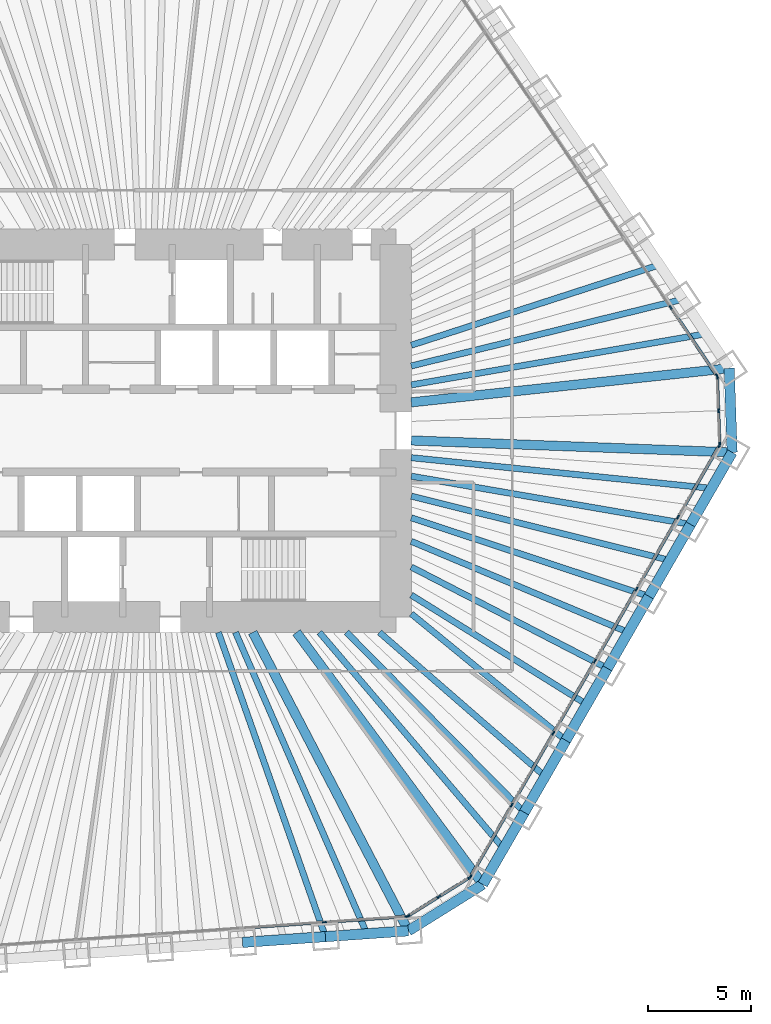
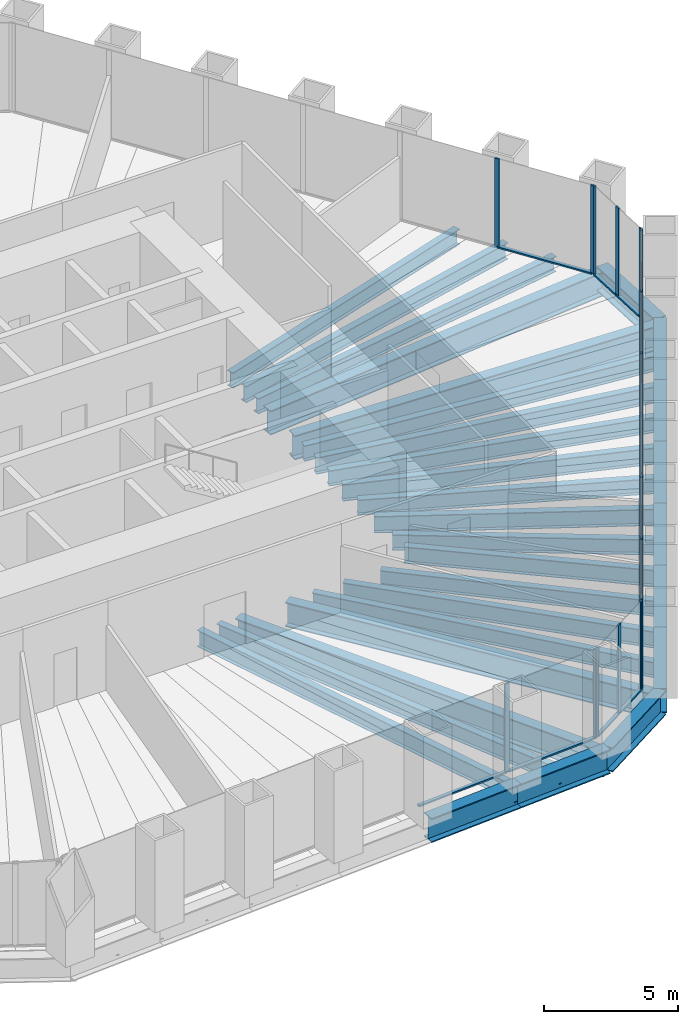
# One storey, part 4 of 13: 30 beams, 30 members, 5 elements without a shape of their own.
"""IFC4 building model written with IfcOpenShell, lengths in metres."""

from ifc_helpers import new_model, si_unit, direction, frame, origin, origin_2d, place, context, subcontext, project, spatial, rectangle, i_section, extrude, material, material_profile, profile_set, type_object, element, aggregate, save


model = new_model("IFC4")

# Units and contexts
model_context = context("Model", 3, precision=1e-05, world=origin(), true_north=direction((0.0, 1.0)))
body_context = subcontext(model_context, "Body", "Model", "MODEL_VIEW")
ifc_project = project(units=[si_unit("LENGTHUNIT", "METRE"), si_unit("AREAUNIT", "SQUARE_METRE"), si_unit("VOLUMEUNIT", "CUBIC_METRE"), si_unit("PLANEANGLEUNIT", "RADIAN"), si_unit("MASSUNIT", "GRAM", prefix="KILO")], contexts=[model_context])

# Site, building, storey
site_placement = place(None, origin())
site = spatial("IfcSite", under=ifc_project, at=site_placement, CompositionType="ELEMENT")
building_placement = place(site_placement, origin())
building = spatial("IfcBuilding", under=site, at=building_placement, Name="Qingtian Harvest Tower", CompositionType="ELEMENT")
storey_placement = place(building_placement, frame((0.0, 0.0, 166.0)))
storey = spatial("IfcBuildingStorey", under=building, at=storey_placement, Name="L35", CompositionType="ELEMENT", Elevation=166.0)

# Beams
ifc_material_1 = material(Name="Steel SM570MC", Category="steel")
ifc_material_profile_1 = material_profile(ifc_material_1, i_section(OverallWidth=0.449951171875, OverallDepth=1.10009765625, WebThickness=0.02197265625, FlangeThickness=0.044921875, at=origin_2d()), Name="H1100x450x22x45")
ifc_profile_set_1 = profile_set([ifc_material_profile_1], Name="Steel SM570MC")
beam_type_1 = type_object("IfcBeamType", Name="Corner floor beam FB8 H1100x450x22x45", PredefinedType="BEAM", material=ifc_profile_set_1)
beam_1_placement = place(storey_placement, frame((28.119384765625, 3.0185546875, -0.719970703125), z_axis=(-0.994287324052, -0.106736672374, 0.0), x_axis=(0.106736672374, -0.994287324052, 0.0)))
element("IfcBeam", 1, at=beam_1_placement, inside=storey, type_object=beam_type_1, Name="Floor beam FB8 NE6", PredefinedType="BEAM", context=body_context, shape_type="SweptSolid", body=[
    extrude(i_section(OverallWidth=0.449951171875, OverallDepth=1.10009765625, WebThickness=0.02197265625, FlangeThickness=0.044921875, at=origin_2d()), origin(), (0.0, 0.0, 1.0), 15.457763671875),
])
beam_2_placement = place(storey_placement, frame((28.261474609375, -1.049560546875, -0.719970703125), z_axis=(-0.999311425285, 0.03710357523, 0.0), x_axis=(-0.03710357523, -0.999311425285, 0.0)))
element("IfcBeam", 2, at=beam_2_placement, inside=storey, type_object=beam_type_1, Name="Floor beam FB8 SE0", PredefinedType="BEAM", context=body_context, shape_type="SweptSolid", body=[
    extrude(i_section(OverallWidth=0.449951171875, OverallDepth=1.10009765625, WebThickness=0.02197265625, FlangeThickness=0.044921875, at=origin_2d()), origin(), (0.0, 0.0, 1.0), 15.522216796875),
])
beam_3_placement = place(storey_placement, frame((16.204345703125, -21.933349609375, -0.719970703125), z_axis=(-0.594215666968, 0.804305751023, 0.0), x_axis=(-0.804305751023, -0.594215666968, 0.0)))
element("IfcBeam", 3, at=beam_3_placement, inside=storey, type_object=beam_type_1, Name="Floor beam FB8 SE6", PredefinedType="BEAM", context=body_context, shape_type="SweptSolid", body=[
    extrude(i_section(OverallWidth=0.449951171875, OverallDepth=1.10009765625, WebThickness=0.02197265625, FlangeThickness=0.044921875, at=origin_2d()), origin(), (0.0, 0.0, 1.0), 15.147705078125),
])
beam_4_placement = place(storey_placement, frame((12.610107421875, -24.17919921875, -0.719970703125), z_axis=(-0.462414751295, 0.886663745613, 0.0), x_axis=(-0.886663745613, -0.462414751295, 0.0)))
element("IfcBeam", 4, at=beam_4_placement, inside=storey, type_object=beam_type_1, Name="Floor beam FB8 S0", PredefinedType="BEAM", context=body_context, shape_type="SweptSolid", body=[
    extrude(i_section(OverallWidth=0.449951171875, OverallDepth=1.10009765625, WebThickness=0.02197265625, FlangeThickness=0.044921875, at=origin_2d()), origin(), (0.0, 0.0, 1.0), 16.273681640625),
])
ifc_material_2 = material(Name="Steel SN490B", Category="steel")
ifc_material_profile_2 = material_profile(ifc_material_2, i_section(OverallWidth=0.300048828125, OverallDepth=0.75, WebThickness=0.013916015625, FlangeThickness=0.02490234375, at=origin_2d()), Name="H750x300x14x25")
ifc_profile_set_2 = profile_set([ifc_material_profile_2], Name="Steel SN490B")
beam_type_2 = type_object("IfcBeamType", Name="Floor beam FB12 H750x300x14x25", PredefinedType="BEAM", material=ifc_profile_set_2)
beam_5_placement = place(storey_placement, frame((25.8720703125, 6.3505859375, -0.544921875), z_axis=(-0.971170997483, -0.2383839207, 0.0), x_axis=(0.2383839207, -0.971170997483, 0.0)))
element("IfcBeam", 5, at=beam_5_placement, inside=storey, type_object=beam_type_2, Name="Floor beam FB12 NE5", PredefinedType="BEAM", context=body_context, shape_type="SweptSolid", body=[
    extrude(i_section(OverallWidth=0.300048828125, OverallDepth=0.75, WebThickness=0.013916015625, FlangeThickness=0.02490234375, at=origin_2d()), origin(), (0.0, 0.0, 1.0), 13.511474609375),
])
beam_6_placement = place(storey_placement, frame((26.251953125, -4.5302734375, -0.544921875), z_axis=(-0.985433767107, 0.170059667895, 0.0), x_axis=(-0.170059667895, -0.985433767107, 0.0)))
element("IfcBeam", 6, at=beam_6_placement, inside=storey, type_object=beam_type_2, Name="Floor beam FB12 SE1", PredefinedType="BEAM", context=body_context, shape_type="SweptSolid", body=[
    extrude(i_section(OverallWidth=0.300048828125, OverallDepth=0.75, WebThickness=0.013916015625, FlangeThickness=0.02490234375, at=origin_2d()), origin(), (0.0, 0.0, 1.0), 13.701416015625),
])
beam_7_placement = place(storey_placement, frame((24.242431640625, -8.010986328125, -0.544921875), z_axis=(-0.949497047328, 0.31377596644, 0.0), x_axis=(-0.31377596644, -0.949497047328, 0.0)))
element("IfcBeam", 7, at=beam_7_placement, inside=storey, type_object=beam_type_2, Name="Floor beam FB12 SE2", PredefinedType="BEAM", context=body_context, shape_type="SweptSolid", body=[
    extrude(i_section(OverallWidth=0.300048828125, OverallDepth=0.75, WebThickness=0.013916015625, FlangeThickness=0.02490234375, at=origin_2d()), origin(), (0.0, 0.0, 1.0), 12.103759765625),
])
beam_8_placement = place(storey_placement, frame((22.23291015625, -11.491455078125, -0.544921875), z_axis=(-0.888354700773, 0.459157843899, 0.0), x_axis=(-0.459157843899, -0.888354700773, 0.0)))
element("IfcBeam", 8, at=beam_8_placement, inside=storey, type_object=beam_type_2, Name="Floor beam FB12 SE3", PredefinedType="BEAM", context=body_context, shape_type="SweptSolid", body=[
    extrude(i_section(OverallWidth=0.300048828125, OverallDepth=0.75, WebThickness=0.013916015625, FlangeThickness=0.02490234375, at=origin_2d()), origin(), (0.0, 0.0, 1.0), 10.6748046875),
])
beam_9_placement = place(storey_placement, frame((20.223388671875, -14.97216796875, -0.544921875), z_axis=(-0.773577716445, 0.633701441233, 0.0), x_axis=(-0.633701441233, -0.773577716445, 0.0)))
element("IfcBeam", 9, at=beam_9_placement, inside=storey, type_object=beam_type_2, Name="Floor beam FB12 SE4", PredefinedType="BEAM", context=body_context, shape_type="SweptSolid", body=[
    extrude(i_section(OverallWidth=0.300048828125, OverallDepth=0.75, WebThickness=0.013916015625, FlangeThickness=0.02490234375, at=origin_2d()), origin(), (0.0, 0.0, 1.0), 9.660888671875),
])
beam_10_placement = place(storey_placement, frame((18.2138671875, -18.452880859375, -0.544921875), z_axis=(-0.702479751847, 0.711703729262, 0.0), x_axis=(-0.711703729262, -0.702479751847, 0.0)))
element("IfcBeam", 10, at=beam_10_placement, inside=storey, type_object=beam_type_2, Name="Floor beam FB12 SE5", PredefinedType="BEAM", context=body_context, shape_type="SweptSolid", body=[
    extrude(i_section(OverallWidth=0.300048828125, OverallDepth=0.75, WebThickness=0.013916015625, FlangeThickness=0.02490234375, at=origin_2d()), origin(), (0.0, 0.0, 1.0), 12.228271484375),
])
beam_11_placement = place(storey_placement, frame((8.600830078125, -24.459716796875, -0.544921875), z_axis=(-0.331719146802, 0.943378189087, 0.0), x_axis=(-0.943378189087, -0.331719146802, 0.0)))
element("IfcBeam", 11, at=beam_11_placement, inside=storey, type_object=beam_type_2, Name="Floor beam FB12 S1", PredefinedType="BEAM", context=body_context, shape_type="SweptSolid", body=[
    extrude(i_section(OverallWidth=0.300048828125, OverallDepth=0.75, WebThickness=0.013916015625, FlangeThickness=0.02490234375, at=origin_2d()), origin(), (0.0, 0.0, 1.0), 15.592529296875),
])
ifc_material_3 = material(Name="Steel SN490B", Category="steel")
ifc_material_profile_3 = material_profile(ifc_material_3, i_section(OverallWidth=0.300048828125, OverallDepth=0.699951171875, WebThickness=0.012939453125, FlangeThickness=0.02392578125, at=origin_2d()), Name="H700x300x13x24")
ifc_profile_set_3 = profile_set([ifc_material_profile_3], Name="Steel SN490B")
beam_type_3 = type_object("IfcBeamType", Name="Floor joist J2 H700x300x13x24", PredefinedType="JOIST", material=ifc_profile_set_3)
beam_12_placement = place(storey_placement, frame((24.748291015625, 8.016357421875, -0.52001953125), z_axis=(-0.951335907519, -0.308155790249, 0.0), x_axis=(0.308155790249, -0.951335907519, 0.0)))
element("IfcBeam", 12, at=beam_12_placement, inside=storey, type_object=beam_type_3, Name="Floor joist J2 NE4", PredefinedType="JOIST", context=body_context, shape_type="SweptSolid", body=[
    extrude(i_section(OverallWidth=0.300048828125, OverallDepth=0.699951171875, WebThickness=0.012939453125, FlangeThickness=0.02392578125, at=origin_2d()), origin(), (0.0, 0.0, 1.0), 12.612060546875),
])
beam_13_placement = place(storey_placement, frame((26.99560546875, 4.6845703125, -0.52001953125), z_axis=(-0.985273903188, -0.17098343691, 0.0), x_axis=(0.17098343691, -0.985273903188, 0.0)))
element("IfcBeam", 13, at=beam_13_placement, inside=storey, type_object=beam_type_3, Name="Floor joist J2 NE5", PredefinedType="JOIST", context=body_context, shape_type="SweptSolid", body=[
    extrude(i_section(OverallWidth=0.300048828125, OverallDepth=0.699951171875, WebThickness=0.012939453125, FlangeThickness=0.02392578125, at=origin_2d()), origin(), (0.0, 0.0, 1.0), 14.45849609375),
])
beam_14_placement = place(storey_placement, frame((27.2568359375, -2.7900390625, -0.52001953125), z_axis=(-0.994802418411, 0.101824104826, 0.0), x_axis=(-0.101824104826, -0.994802418411, 0.0)))
element("IfcBeam", 14, at=beam_14_placement, inside=storey, type_object=beam_type_3, Name="Floor joist J2 SE0", PredefinedType="JOIST", context=body_context, shape_type="SweptSolid", body=[
    extrude(i_section(OverallWidth=0.300048828125, OverallDepth=0.699951171875, WebThickness=0.012939453125, FlangeThickness=0.02392578125, at=origin_2d()), origin(), (0.0, 0.0, 1.0), 14.58251953125),
])
beam_15_placement = place(storey_placement, frame((25.247314453125, -6.2705078125, -0.52001953125), z_axis=(-0.970517179244, 0.241031958032, 0.0), x_axis=(-0.241031958032, -0.970517179244, 0.0)))
element("IfcBeam", 15, at=beam_15_placement, inside=storey, type_object=beam_type_3, Name="Floor joist J2 SE1", PredefinedType="JOIST", context=body_context, shape_type="SweptSolid", body=[
    extrude(i_section(OverallWidth=0.300048828125, OverallDepth=0.699951171875, WebThickness=0.012939453125, FlangeThickness=0.02392578125, at=origin_2d()), origin(), (0.0, 0.0, 1.0), 12.876953125),
])
beam_16_placement = place(storey_placement, frame((23.237548828125, -9.751220703125, -0.52001953125), z_axis=(-0.922104219626, 0.386941608189, 0.0), x_axis=(-0.386941608189, -0.922104219626, 0.0)))
element("IfcBeam", 16, at=beam_16_placement, inside=storey, type_object=beam_type_3, Name="Floor joist J2 SE2", PredefinedType="JOIST", context=body_context, shape_type="SweptSolid", body=[
    extrude(i_section(OverallWidth=0.300048828125, OverallDepth=0.699951171875, WebThickness=0.012939453125, FlangeThickness=0.02392578125, at=origin_2d()), origin(), (0.0, 0.0, 1.0), 11.37353515625),
])
beam_17_placement = place(storey_placement, frame((21.22802734375, -13.23193359375, -0.52001953125), z_axis=(-0.848631984892, 0.528983699389, 0.0), x_axis=(-0.528983699389, -0.848631984892, 0.0)))
element("IfcBeam", 17, at=beam_17_placement, inside=storey, type_object=beam_type_3, Name="Floor joist J2 SE3", PredefinedType="JOIST", context=body_context, shape_type="SweptSolid", body=[
    extrude(i_section(OverallWidth=0.300048828125, OverallDepth=0.699951171875, WebThickness=0.012939453125, FlangeThickness=0.02392578125, at=origin_2d()), origin(), (0.0, 0.0, 1.0), 9.990234375),
])
beam_18_placement = place(storey_placement, frame((19.218505859375, -16.71240234375, -0.52001953125), z_axis=(-0.754588679317, 0.656198083697, 0.0), x_axis=(-0.656198083697, -0.754588679317, 0.0)))
element("IfcBeam", 18, at=beam_18_placement, inside=storey, type_object=beam_type_3, Name="Floor joist J2 SE4", PredefinedType="JOIST", context=body_context, shape_type="SweptSolid", body=[
    extrude(i_section(OverallWidth=0.300048828125, OverallDepth=0.699951171875, WebThickness=0.012939453125, FlangeThickness=0.02392578125, at=origin_2d()), origin(), (0.0, 0.0, 1.0), 10.610107421875),
])
beam_19_placement = place(storey_placement, frame((17.208984375, -20.193115234375, -0.52001953125), z_axis=(-0.648631797865, 0.76110235238, 0.0), x_axis=(-0.76110235238, -0.648631797865, 0.0)))
element("IfcBeam", 19, at=beam_19_placement, inside=storey, type_object=beam_type_3, Name="Floor joist J2 SE5", PredefinedType="JOIST", context=body_context, shape_type="SweptSolid", body=[
    extrude(i_section(OverallWidth=0.300048828125, OverallDepth=0.699951171875, WebThickness=0.012939453125, FlangeThickness=0.02392578125, at=origin_2d()), origin(), (0.0, 0.0, 1.0), 13.720947265625),
])
beam_20_placement = place(storey_placement, frame((10.60546875, -24.3193359375, -0.52001953125), z_axis=(-0.399732363577, 0.916631898588, 0.0), x_axis=(-0.916631898588, -0.399732363577, 0.0)))
element("IfcBeam", 20, at=beam_20_placement, inside=storey, type_object=beam_type_3, Name="Floor joist J2 S0", PredefinedType="JOIST", context=body_context, shape_type="SweptSolid", body=[
    extrude(i_section(OverallWidth=0.300048828125, OverallDepth=0.699951171875, WebThickness=0.012939453125, FlangeThickness=0.02392578125, at=origin_2d()), origin(), (0.0, 0.0, 1.0), 15.89453125),
])

# Curtain wall, members
ifc_material_4 = material(Name="Bronze-anodised aluminium curtain wall", Category="aluminium")
curtain_wall_type = type_object("IfcCurtainWallType", Name="Curtain wall CW4 office", PredefinedType="USERDEFINED", material=ifc_material_4)
curtain_wall_1_placement = place(storey_placement, origin())
curtain_wall_1 = element("IfcCurtainWall", 21, at=curtain_wall_1_placement, inside=storey, type_object=curtain_wall_type, Name="Curtain wall CW4 L35 NE0-5", ObjectType="RECESSED CURTAIN WALL", PredefinedType="USERDEFINED")
ifc_material_5 = material(Name="Bronze-anodised aluminium mullion", Category="aluminium")
ifc_material_profile_4 = material_profile(ifc_material_5, rectangle(XDim=0.06494140625, YDim=0.199951171875, at=origin_2d()), Name="AL 65x200")
ifc_profile_set_4 = profile_set([ifc_material_profile_4], Name="Bronze-anodised aluminium mullion")
member_type_1 = type_object("IfcMemberType", Name="Mullion CWM 65x200", PredefinedType="MULLION", material=ifc_profile_set_4)
member_1_placement = place(storey_placement, frame((25.291748046875, 5.958984375, 0.0), z_axis=(0.0, 0.0, 1.0), x_axis=(0.829037572555, 0.559192903471, 0.0)))
member_1 = element("IfcMember", 22, at=member_1_placement, type_object=member_type_1, Name="CW4 mullion 6", PredefinedType="MULLION", context=body_context, shape_type="SweptSolid", body=[
    extrude(rectangle(XDim=0.06494140625, YDim=0.199951171875, at=origin_2d()), origin(), (0.0, 0.0, 1.0), 4.030029296875),
])
member_2_placement = place(storey_placement, frame((27.52099609375, 2.654052734375, 0.0), z_axis=(0.0, 0.0, 1.0), x_axis=(0.829037572555, 0.559192903471, 0.0)))
member_2 = element("IfcMember", 23, at=member_2_placement, type_object=member_type_1, Name="CW4 mullion 7", PredefinedType="MULLION", context=body_context, shape_type="SweptSolid", body=[
    extrude(rectangle(XDim=0.06494140625, YDim=0.199951171875, at=origin_2d()), origin(), (0.0, 0.0, 1.0), 4.030029296875),
])

curtain_wall_2_placement = place(storey_placement, origin())
curtain_wall_2 = element("IfcCurtainWall", 24, at=curtain_wall_2_placement, inside=storey, type_object=curtain_wall_type, Name="Curtain wall CW4 L35 NEC", ObjectType="RECESSED CURTAIN WALL", PredefinedType="USERDEFINED")
member_3_placement = place(storey_placement, frame((27.540283203125, 2.594482421875, 0.0), z_axis=(0.0, 0.0, 1.0), x_axis=(0.999390827019, 0.034899496703, 0.0)))
member_3 = element("IfcMember", 25, at=member_3_placement, type_object=member_type_1, Name="CW4 mullion 1", PredefinedType="MULLION", context=body_context, shape_type="SweptSolid", body=[
    extrude(rectangle(XDim=0.06494140625, YDim=0.199951171875, at=origin_2d()), origin(), (0.0, 0.0, 1.0), 4.030029296875),
])
member_4_placement = place(storey_placement, frame((27.59716796875, 0.963623046875, 0.0), z_axis=(0.0, 0.0, 1.0), x_axis=(0.999390827019, 0.034899496703, 0.0)))
member_4 = element("IfcMember", 26, at=member_4_placement, type_object=member_type_1, Name="CW4 mullion 2", PredefinedType="MULLION", context=body_context, shape_type="SweptSolid", body=[
    extrude(rectangle(XDim=0.06494140625, YDim=0.199951171875, at=origin_2d()), origin(), (0.0, 0.0, 1.0), 4.030029296875),
])
member_5_placement = place(storey_placement, frame((27.654052734375, -0.667236328125, 0.0), z_axis=(0.0, 0.0, 1.0), x_axis=(0.999390827019, 0.034899496703, 0.0)))
member_5 = element("IfcMember", 27, at=member_5_placement, type_object=member_type_1, Name="CW4 mullion 3", PredefinedType="MULLION", context=body_context, shape_type="SweptSolid", body=[
    extrude(rectangle(XDim=0.06494140625, YDim=0.199951171875, at=origin_2d()), origin(), (0.0, 0.0, 1.0), 4.030029296875),
])

curtain_wall_3_placement = place(storey_placement, origin())
curtain_wall_3 = element("IfcCurtainWall", 28, at=curtain_wall_3_placement, inside=storey, type_object=curtain_wall_type, Name="Curtain wall CW4 L35 SE0-5", ObjectType="RECESSED CURTAIN WALL", PredefinedType="USERDEFINED")
member_6_placement = place(storey_placement, frame((27.638916015625, -0.727783203125, 0.0), z_axis=(0.0, 0.0, 1.0), x_axis=(0.866025403784, -0.5, 0.0)))
member_6 = element("IfcMember", 29, at=member_6_placement, type_object=member_type_1, Name="CW4 mullion 1", PredefinedType="MULLION", context=body_context, shape_type="SweptSolid", body=[
    extrude(rectangle(XDim=0.06494140625, YDim=0.199951171875, at=origin_2d()), origin(), (0.0, 0.0, 1.0), 4.030029296875),
])
member_7_placement = place(storey_placement, frame((25.645751953125, -4.18017578125, 0.0), z_axis=(0.0, 0.0, 1.0), x_axis=(0.866025403784, -0.5, 0.0)))
member_7 = element("IfcMember", 30, at=member_7_placement, type_object=member_type_1, Name="CW4 mullion 2", PredefinedType="MULLION", context=body_context, shape_type="SweptSolid", body=[
    extrude(rectangle(XDim=0.06494140625, YDim=0.199951171875, at=origin_2d()), origin(), (0.0, 0.0, 1.0), 4.030029296875),
])
member_8_placement = place(storey_placement, frame((23.63623046875, -7.660888671875, 0.0), z_axis=(0.0, 0.0, 1.0), x_axis=(0.866025403784, -0.5, 0.0)))
member_8 = element("IfcMember", 31, at=member_8_placement, type_object=member_type_1, Name="CW4 mullion 3", PredefinedType="MULLION", context=body_context, shape_type="SweptSolid", body=[
    extrude(rectangle(XDim=0.06494140625, YDim=0.199951171875, at=origin_2d()), origin(), (0.0, 0.0, 1.0), 4.030029296875),
])
member_9_placement = place(storey_placement, frame((21.626708984375, -11.1416015625, 0.0), z_axis=(0.0, 0.0, 1.0), x_axis=(0.866025403784, -0.5, 0.0)))
member_9 = element("IfcMember", 32, at=member_9_placement, type_object=member_type_1, Name="CW4 mullion 4", PredefinedType="MULLION", context=body_context, shape_type="SweptSolid", body=[
    extrude(rectangle(XDim=0.06494140625, YDim=0.199951171875, at=origin_2d()), origin(), (0.0, 0.0, 1.0), 4.030029296875),
])
member_10_placement = place(storey_placement, frame((19.6171875, -14.6220703125, 0.0), z_axis=(0.0, 0.0, 1.0), x_axis=(0.866025403784, -0.5, 0.0)))
member_10 = element("IfcMember", 33, at=member_10_placement, type_object=member_type_1, Name="CW4 mullion 5", PredefinedType="MULLION", context=body_context, shape_type="SweptSolid", body=[
    extrude(rectangle(XDim=0.06494140625, YDim=0.199951171875, at=origin_2d()), origin(), (0.0, 0.0, 1.0), 4.030029296875),
])
member_11_placement = place(storey_placement, frame((17.607666015625, -18.102783203125, 0.0), z_axis=(0.0, 0.0, 1.0), x_axis=(0.866025403784, -0.5, 0.0)))
member_11 = element("IfcMember", 34, at=member_11_placement, type_object=member_type_1, Name="CW4 mullion 6", PredefinedType="MULLION", context=body_context, shape_type="SweptSolid", body=[
    extrude(rectangle(XDim=0.06494140625, YDim=0.199951171875, at=origin_2d()), origin(), (0.0, 0.0, 1.0), 4.030029296875),
])
member_12_placement = place(storey_placement, frame((15.6142578125, -21.55517578125, 0.0), z_axis=(0.0, 0.0, 1.0), x_axis=(0.866025403784, -0.5, 0.0)))
member_12 = element("IfcMember", 35, at=member_12_placement, type_object=member_type_1, Name="CW4 mullion 7", PredefinedType="MULLION", context=body_context, shape_type="SweptSolid", body=[
    extrude(rectangle(XDim=0.06494140625, YDim=0.199951171875, at=origin_2d()), origin(), (0.0, 0.0, 1.0), 4.030029296875),
])

curtain_wall_4_placement = place(storey_placement, origin())
curtain_wall_4 = element("IfcCurtainWall", 36, at=curtain_wall_4_placement, inside=storey, type_object=curtain_wall_type, Name="Curtain wall CW4 L35 SEC", ObjectType="RECESSED CURTAIN WALL", PredefinedType="USERDEFINED")
member_13_placement = place(storey_placement, frame((15.570556640625, -21.6005859375, 0.0), z_axis=(0.0, 0.0, 1.0), x_axis=(0.529919264233, -0.848048096156, 0.0)))
member_13 = element("IfcMember", 37, at=member_13_placement, type_object=member_type_1, Name="CW4 mullion 1", PredefinedType="MULLION", context=body_context, shape_type="SweptSolid", body=[
    extrude(rectangle(XDim=0.06494140625, YDim=0.199951171875, at=origin_2d()), origin(), (0.0, 0.0, 1.0), 4.030029296875),
])
member_14_placement = place(storey_placement, frame((14.07958984375, -22.5322265625, 0.0), z_axis=(0.0, 0.0, 1.0), x_axis=(0.529919264233, -0.848048096156, 0.0)))
member_14 = element("IfcMember", 38, at=member_14_placement, type_object=member_type_1, Name="CW4 mullion 2", PredefinedType="MULLION", context=body_context, shape_type="SweptSolid", body=[
    extrude(rectangle(XDim=0.06494140625, YDim=0.199951171875, at=origin_2d()), origin(), (0.0, 0.0, 1.0), 4.030029296875),
])
member_15_placement = place(storey_placement, frame((12.5888671875, -23.4638671875, 0.0), z_axis=(0.0, 0.0, 1.0), x_axis=(0.529919264233, -0.848048096156, 0.0)))
member_15 = element("IfcMember", 39, at=member_15_placement, type_object=member_type_1, Name="CW4 mullion 3", PredefinedType="MULLION", context=body_context, shape_type="SweptSolid", body=[
    extrude(rectangle(XDim=0.06494140625, YDim=0.199951171875, at=origin_2d()), origin(), (0.0, 0.0, 1.0), 4.030029296875),
])

curtain_wall_5_placement = place(storey_placement, origin())
curtain_wall_5 = element("IfcCurtainWall", 40, at=curtain_wall_5_placement, inside=storey, type_object=curtain_wall_type, Name="Curtain wall CW4 L35 S0-5", ObjectType="RECESSED CURTAIN WALL", PredefinedType="USERDEFINED")
member_16_placement = place(storey_placement, frame((12.52880859375, -23.483154296875, 0.0), z_axis=(0.0, 0.0, 1.0), x_axis=(0.069756473744, -0.99756405026, 0.0)))
member_16 = element("IfcMember", 41, at=member_16_placement, type_object=member_type_1, Name="CW4 mullion 1", PredefinedType="MULLION", context=body_context, shape_type="SweptSolid", body=[
    extrude(rectangle(XDim=0.06494140625, YDim=0.199951171875, at=origin_2d()), origin(), (0.0, 0.0, 1.0), 4.030029296875),
])
member_17_placement = place(storey_placement, frame((8.552001953125, -23.76123046875, 0.0), z_axis=(0.0, 0.0, 1.0), x_axis=(0.069756473744, -0.99756405026, 0.0)))
member_17 = element("IfcMember", 42, at=member_17_placement, type_object=member_type_1, Name="CW4 mullion 2", PredefinedType="MULLION", context=body_context, shape_type="SweptSolid", body=[
    extrude(rectangle(XDim=0.06494140625, YDim=0.199951171875, at=origin_2d()), origin(), (0.0, 0.0, 1.0), 4.030029296875),
])

# Beams
ifc_material_6 = material(Name="Steel SM570MC", Category="steel")
ifc_material_profile_5 = material_profile(ifc_material_6, i_section(OverallWidth=0.5, OverallDepth=1.10009765625, WebThickness=0.02490234375, FlangeThickness=0.050048828125, at=origin_2d()), Name="H1100x500x25x50")
ifc_profile_set_5 = profile_set([ifc_material_profile_5], Name="Steel SM570MC")
beam_type_4 = type_object("IfcBeamType", Name="Spandrel beam SB2 H1100x500x25x50", PredefinedType="SPANDREL", material=ifc_profile_set_5)
beam_21_placement = place(storey_placement, frame((28.119384765625, 3.0185546875, -0.550048828125), z_axis=(0.03490639867, -0.999390585973, 0.0), x_axis=(0.999390585973, 0.03490639867, 0.0)))
element("IfcBeam", 43, at=beam_21_placement, inside=storey, type_object=beam_type_4, Name="Spandrel SB2 NEC", PredefinedType="SPANDREL", context=body_context, shape_type="SweptSolid", body=[
    extrude(i_section(OverallWidth=0.5, OverallDepth=1.10009765625, WebThickness=0.02490234375, FlangeThickness=0.050048828125, at=origin_2d()), origin(), (0.0, 0.0, 1.0), 4.070556640625),
])
for number, where, z_axis, x_axis, name in (
    (44, (28.261474609375, -1.049560546875, -0.550048828125), (-0.499987116613, -0.866032841884, 0.0), (0.866032841884, -0.499987116613, 0.0), "Spandrel SB2 SE0"),
    (45, (26.251953125, -4.5302734375, -0.550048828125), (-0.499987116613, -0.866032841884, 0.0), (0.866032841884, -0.499987116613, 0.0), "Spandrel SB2 SE1"),
    (46, (24.242431640625, -8.010986328125, -0.550048828125), (-0.500013420409, -0.866017655369, 0.0), (0.866017655369, -0.500013420409, 0.0), "Spandrel SB2 SE2"),
    (47, (22.23291015625, -11.491455078125, -0.550048828125), (-0.499987116613, -0.866032841884, 0.0), (0.866032841884, -0.499987116613, 0.0), "Spandrel SB2 SE3"),
    (48, (20.223388671875, -14.97216796875, -0.550048828125), (-0.499987116613, -0.866032841884, 0.0), (0.866032841884, -0.499987116613, 0.0), "Spandrel SB2 SE4"),
    (49, (18.2138671875, -18.452880859375, -0.550048828125), (-0.500013420409, -0.866017655369, 0.0), (0.866017655369, -0.500013420409, 0.0), "Spandrel SB2 SE5"),
):
    element("IfcBeam", number, at=place(storey_placement, frame(where, z_axis=z_axis, x_axis=x_axis)), inside=storey, type_object=beam_type_4, Name=name, PredefinedType="SPANDREL", context=body_context, shape_type="SweptSolid", body=[
        extrude(i_section(OverallWidth=0.5, OverallDepth=1.10009765625, WebThickness=0.02490234375, FlangeThickness=0.050048828125, at=origin_2d()), origin(), (0.0, 0.0, 1.0), 4.01904296875),
    ])
beam_22_placement = place(storey_placement, frame((16.204345703125, -21.933349609375, -0.550048828125), z_axis=(-0.848056550838, -0.529905733675, 0.0), x_axis=(0.529905733675, -0.848056550838, 0.0)))
element("IfcBeam", 50, at=beam_22_placement, inside=storey, type_object=beam_type_4, Name="Spandrel SB2 SEC", PredefinedType="SPANDREL", context=body_context, shape_type="SweptSolid", body=[
    extrude(i_section(OverallWidth=0.5, OverallDepth=1.10009765625, WebThickness=0.02490234375, FlangeThickness=0.050048828125, at=origin_2d()), origin(), (0.0, 0.0, 1.0), 4.23828125),
])
for number, where, z_axis, x_axis, name in (
    (51, (12.610107421875, -24.17919921875, -0.550048828125), (-0.997561251588, -0.069796485086, 0.0), (0.069796485086, -0.997561251588, 0.0), "Spandrel SB2 S0"),
    (52, (8.600830078125, -24.459716796875, -0.550048828125), (-0.997565479251, -0.069736035208, 0.0), (0.069736035208, -0.997565479251, 0.0), "Spandrel SB2 S1"),
):
    element("IfcBeam", number, at=place(storey_placement, frame(where, z_axis=z_axis, x_axis=x_axis)), inside=storey, type_object=beam_type_4, Name=name, PredefinedType="SPANDREL", context=body_context, shape_type="SweptSolid", body=[
        extrude(i_section(OverallWidth=0.5, OverallDepth=1.10009765625, WebThickness=0.02490234375, FlangeThickness=0.050048828125, at=origin_2d()), origin(), (0.0, 0.0, 1.0), 4.01904296875),
    ])

# Member
ifc_material_7 = material(Name="Bronze-anodised aluminium transom", Category="aluminium")
ifc_material_profile_6 = material_profile(ifc_material_7, rectangle(XDim=0.14990234375, YDim=0.06494140625, at=origin_2d()), Name="AL 65x150")
ifc_profile_set_6 = profile_set([ifc_material_profile_6], Name="Bronze-anodised aluminium transom")
member_type_2 = type_object("IfcMemberType", Name="Transom CWT 65x150", PredefinedType="USERDEFINED", material=ifc_profile_set_6)
member_18_placement = place(storey_placement, frame((25.309814453125, 5.93212890625, 0.032470703125), z_axis=(0.559174507936, -0.829049980203, 0.0), x_axis=(0.829049980203, 0.559174507936, 0.0)))
member_18 = element("IfcMember", 53, at=member_18_placement, type_object=member_type_2, Name="CW4 transom 6.1", ObjectType="TRANSOM", PredefinedType="USERDEFINED", context=body_context, shape_type="SweptSolid", body=[
    extrude(rectangle(XDim=0.14990234375, YDim=0.06494140625, at=origin_2d()), origin(), (0.0, 0.0, 1.0), 3.921630859375),
])

aggregate(curtain_wall_1, [member_1, member_2, member_18])

member_19_placement = place(storey_placement, frame((27.541259765625, 2.56201171875, 0.032470703125), z_axis=(0.034902326647, -0.999390728191, 0.0), x_axis=(0.999390728191, 0.034902326647, 0.0)))
member_19 = element("IfcMember", 54, at=member_19_placement, type_object=member_type_2, Name="CW4 transom 1.1", ObjectType="TRANSOM", PredefinedType="USERDEFINED", context=body_context, shape_type="SweptSolid", body=[
    extrude(rectangle(XDim=0.14990234375, YDim=0.06494140625, at=origin_2d()), origin(), (0.0, 0.0, 1.0), 1.56689453125),
])

member_20_placement = place(storey_placement, frame((27.598388671875, 0.93115234375, 0.032470703125), z_axis=(0.034902326647, -0.999390728191, 0.0), x_axis=(0.999390728191, 0.034902326647, 0.0)))
member_20 = element("IfcMember", 55, at=member_20_placement, type_object=member_type_2, Name="CW4 transom 2.1", ObjectType="TRANSOM", PredefinedType="USERDEFINED", context=body_context, shape_type="SweptSolid", body=[
    extrude(rectangle(XDim=0.14990234375, YDim=0.06494140625, at=origin_2d()), origin(), (0.0, 0.0, 1.0), 1.56689453125),
])

aggregate(curtain_wall_2, [member_3, member_4, member_5, member_19, member_20])

member_21_placement = place(storey_placement, frame((27.622802734375, -0.755859375, 0.032470703125), z_axis=(-0.499975738995, -0.866039410429, 0.0), x_axis=(0.866039410429, -0.499975738995, 0.0)))
member_21 = element("IfcMember", 56, at=member_21_placement, type_object=member_type_2, Name="CW4 transom 1.1", ObjectType="TRANSOM", PredefinedType="USERDEFINED", context=body_context, shape_type="SweptSolid", body=[
    extrude(rectangle(XDim=0.14990234375, YDim=0.06494140625, at=origin_2d()), origin(), (0.0, 0.0, 1.0), 3.921630859375),
])

member_22_placement = place(storey_placement, frame((25.62939453125, -4.20849609375, 0.032470703125), z_axis=(-0.500003941941, -0.866023127892, 0.0), x_axis=(0.866023127892, -0.500003941941, 0.0)))
member_22 = element("IfcMember", 57, at=member_22_placement, type_object=member_type_2, Name="CW4 transom 2.1", ObjectType="TRANSOM", PredefinedType="USERDEFINED", context=body_context, shape_type="SweptSolid", body=[
    extrude(rectangle(XDim=0.14990234375, YDim=0.06494140625, at=origin_2d()), origin(), (0.0, 0.0, 1.0), 3.9541015625),
])

member_23_placement = place(storey_placement, frame((23.619873046875, -7.68896484375, 0.032470703125), z_axis=(-0.500003941941, -0.866023127892, 0.0), x_axis=(0.866023127892, -0.500003941941, 0.0)))
member_23 = element("IfcMember", 58, at=member_23_placement, type_object=member_type_2, Name="CW4 transom 3.1", ObjectType="TRANSOM", PredefinedType="USERDEFINED", context=body_context, shape_type="SweptSolid", body=[
    extrude(rectangle(XDim=0.14990234375, YDim=0.06494140625, at=origin_2d()), origin(), (0.0, 0.0, 1.0), 3.9541015625),
])

member_24_placement = place(storey_placement, frame((21.6103515625, -11.169677734375, 0.032470703125), z_axis=(-0.500003941941, -0.866023127892, 0.0), x_axis=(0.866023127892, -0.500003941941, 0.0)))
member_24 = element("IfcMember", 59, at=member_24_placement, type_object=member_type_2, Name="CW4 transom 4.1", ObjectType="TRANSOM", PredefinedType="USERDEFINED", context=body_context, shape_type="SweptSolid", body=[
    extrude(rectangle(XDim=0.14990234375, YDim=0.06494140625, at=origin_2d()), origin(), (0.0, 0.0, 1.0), 3.9541015625),
])

member_25_placement = place(storey_placement, frame((19.600830078125, -14.650390625, 0.032470703125), z_axis=(-0.500003941941, -0.866023127892, 0.0), x_axis=(0.866023127892, -0.500003941941, 0.0)))
member_25 = element("IfcMember", 60, at=member_25_placement, type_object=member_type_2, Name="CW4 transom 5.1", ObjectType="TRANSOM", PredefinedType="USERDEFINED", context=body_context, shape_type="SweptSolid", body=[
    extrude(rectangle(XDim=0.14990234375, YDim=0.06494140625, at=origin_2d()), origin(), (0.0, 0.0, 1.0), 3.9541015625),
])

member_26_placement = place(storey_placement, frame((17.59130859375, -18.130859375, 0.032470703125), z_axis=(-0.499975738995, -0.866039410429, 0.0), x_axis=(0.866039410429, -0.499975738995, 0.0)))
member_26 = element("IfcMember", 61, at=member_26_placement, type_object=member_type_2, Name="CW4 transom 6.1", ObjectType="TRANSOM", PredefinedType="USERDEFINED", context=body_context, shape_type="SweptSolid", body=[
    extrude(rectangle(XDim=0.14990234375, YDim=0.06494140625, at=origin_2d()), origin(), (0.0, 0.0, 1.0), 3.921630859375),
])

aggregate(curtain_wall_3, [member_6, member_7, member_8, member_9, member_10, member_11, member_12, member_21, member_22, member_23, member_24, member_25, member_26])

member_27_placement = place(storey_placement, frame((15.54296875, -21.617919921875, 0.032470703125), z_axis=(-0.848103609743, -0.529830413568, 0.0), x_axis=(0.529830413568, -0.848103609743, 0.0)))
member_27 = element("IfcMember", 62, at=member_27_placement, type_object=member_type_2, Name="CW4 transom 1.1", ObjectType="TRANSOM", PredefinedType="USERDEFINED", context=body_context, shape_type="SweptSolid", body=[
    extrude(rectangle(XDim=0.14990234375, YDim=0.06494140625, at=origin_2d()), origin(), (0.0, 0.0, 1.0), 1.69287109375),
])

member_28_placement = place(storey_placement, frame((14.052001953125, -22.54931640625, 0.032470703125), z_axis=(-0.847998304005, -0.529998940003, 0.0), x_axis=(0.529998940003, -0.847998304005, 0.0)))
member_28 = element("IfcMember", 63, at=member_28_placement, type_object=member_type_2, Name="CW4 transom 2.1", ObjectType="TRANSOM", PredefinedType="USERDEFINED", context=body_context, shape_type="SweptSolid", body=[
    extrude(rectangle(XDim=0.14990234375, YDim=0.06494140625, at=origin_2d()), origin(), (0.0, 0.0, 1.0), 1.69287109375),
])

aggregate(curtain_wall_4, [member_13, member_14, member_15, member_27, member_28])

member_29_placement = place(storey_placement, frame((12.496337890625, -23.485595703125, 0.032470703125), z_axis=(-0.99756594446, -0.069729380128, 0.0), x_axis=(0.069729380128, -0.99756594446, 0.0)))
member_29 = element("IfcMember", 64, at=member_29_placement, type_object=member_type_2, Name="CW4 transom 1.1", ObjectType="TRANSOM", PredefinedType="USERDEFINED", context=body_context, shape_type="SweptSolid", body=[
    extrude(rectangle(XDim=0.14990234375, YDim=0.06494140625, at=origin_2d()), origin(), (0.0, 0.0, 1.0), 3.92138671875),
])

member_30_placement = place(storey_placement, frame((8.51953125, -23.763671875, 0.032470703125), z_axis=(-0.997567218353, -0.069711153102, 0.0), x_axis=(0.069711153102, -0.997567218353, 0.0)))
member_30 = element("IfcMember", 65, at=member_30_placement, type_object=member_type_2, Name="CW4 transom 2.1", ObjectType="TRANSOM", PredefinedType="USERDEFINED", context=body_context, shape_type="SweptSolid", body=[
    extrude(rectangle(XDim=0.14990234375, YDim=0.06494140625, at=origin_2d()), origin(), (0.0, 0.0, 1.0), 3.953857421875),
])

aggregate(curtain_wall_5, [member_16, member_17, member_29, member_30])

save(model, "model.ifc")
